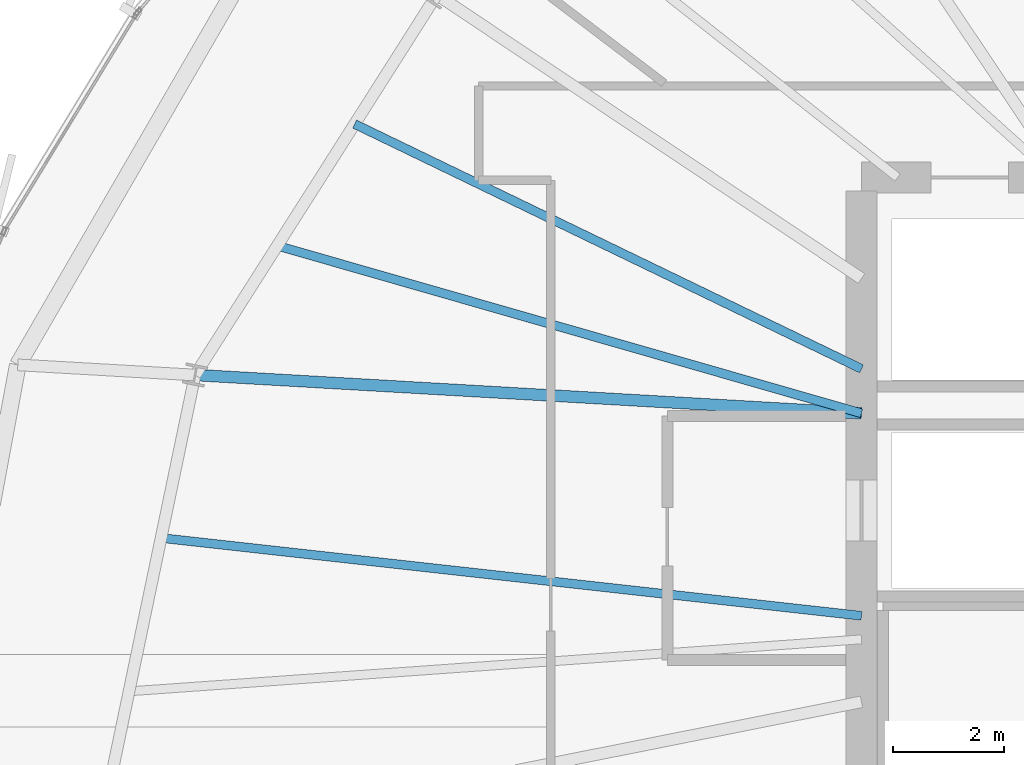
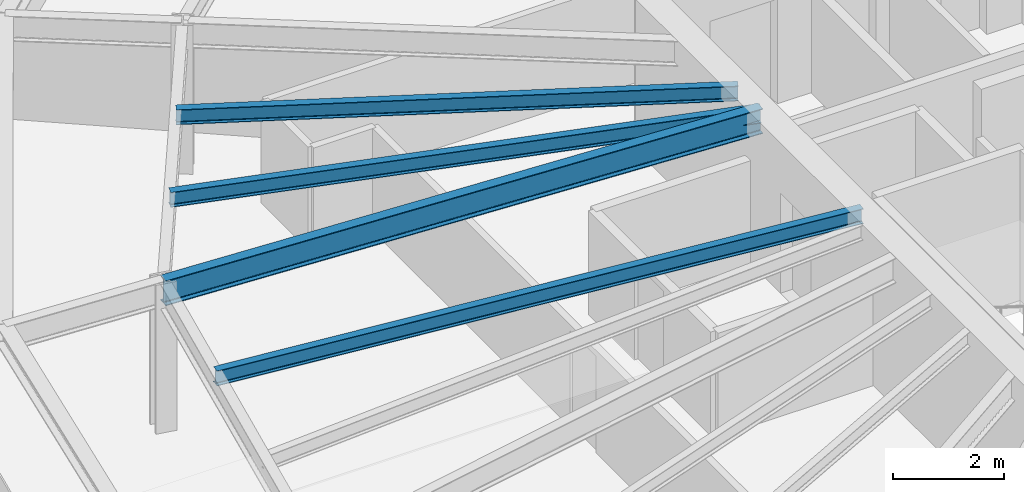
# One storey, part 11 of 36: 4 beams.
"""IFC4 building model written with IfcOpenShell, lengths in metres."""

from ifc_helpers import new_model, si_unit, direction, frame, origin, origin_2d, place, context, subcontext, project, spatial, i_section, extrude, source, transform, mapped, material, material_profile, profile_set, type_object, element, save


model = new_model("IFC4")

# Units and contexts
model_context = context("Model", 3, precision=1e-05, world=origin(), true_north=direction((0.0, 1.0)))
body_context = subcontext(model_context, "Body", "Model", "MODEL_VIEW")
ifc_project = project(units=[si_unit("LENGTHUNIT", "METRE"), si_unit("AREAUNIT", "SQUARE_METRE"), si_unit("VOLUMEUNIT", "CUBIC_METRE"), si_unit("PLANEANGLEUNIT", "RADIAN"), si_unit("MASSUNIT", "GRAM", prefix="KILO"), si_unit("THERMODYNAMICTEMPERATUREUNIT", "KELVIN")], contexts=[model_context])

# Site, building, storey
site_placement = place(None, origin())
site = spatial("IfcSite", under=ifc_project, at=site_placement, CompositionType="ELEMENT")
building_placement = place(site_placement, origin())
building = spatial("IfcBuilding", under=site, at=building_placement, Name="Kethvar Cultural Tower", CompositionType="ELEMENT")
storey_placement = place(building_placement, frame((0.0, 0.0, 150.10009765625)))
storey = spatial("IfcBuildingStorey", under=building, at=storey_placement, Name="L38", CompositionType="ELEMENT", Elevation=150.10009765625)

# Beams
ifc_material = material(Name="Steel S355J2", Category="steel")
ifc_material_profile_1 = material_profile(ifc_material, i_section(OverallWidth=0.2099609375, OverallDepth=0.550048828125, WebThickness=0.010986328125, FlangeThickness=0.01708984375, FilletRadius=0.02392578125, at=origin_2d()), Name="Steel S355J2 — IPE550")
ifc_profile_set_1 = profile_set([ifc_material_profile_1], Name="Steel S355J2 — IPE550")
beam_type_1 = type_object("IfcBeamType", Name="BM-IPE550", PredefinedType="BEAM", material=ifc_profile_set_1)
shared_shape_1 = source(origin(), body_context, "Body", "SweptSolid", [
    extrude(i_section(OverallWidth=0.2099609375, OverallDepth=0.550048828125, WebThickness=0.010986328125, FlangeThickness=0.01708984375, FilletRadius=0.02392578125, at=origin_2d()), origin(), (0.0, 0.0, 1.0), 12.03125),
])
beam_1_placement = place(storey_placement, frame((38.0, 31.25, 3.02294921875), z_axis=(-0.998355544741, 0.057325441856, 0.0), x_axis=(-0.057325441856, -0.998355544741, 0.0)))
element("IfcBeam", 1, at=beam_1_placement, inside=storey, type_object=beam_type_1, Name="L38 Primary Radial Beam RB-08", PredefinedType="BEAM", context=body_context, shape_type="MappedRepresentation", body=[
    mapped(shared_shape_1, transform((0.0, 0.0, 0.0), scale=1.0)),
])
ifc_material_profile_2 = material_profile(ifc_material, i_section(OverallWidth=0.159912109375, OverallDepth=0.330078125, WebThickness=0.007568359375, FlangeThickness=0.011474609375, FilletRadius=0.01806640625, at=origin_2d()), Name="Steel S355J2 — IPE330")
ifc_profile_set_2 = profile_set([ifc_material_profile_2], Name="Steel S355J2 — IPE330")
beam_type_2 = type_object("IfcBeamType", Name="BM-J330", PredefinedType="JOIST", material=ifc_profile_set_2)
shared_shape_2 = source(origin(), body_context, "Body", "SweptSolid", [
    extrude(i_section(OverallWidth=0.159912109375, OverallDepth=0.330078125, WebThickness=0.007568359375, FlangeThickness=0.011474609375, FilletRadius=0.01806640625, at=origin_2d()), origin(), (0.0, 0.0, 1.0), 10.1455078125),
])
beam_2_placement = place(storey_placement, frame((38.0, 32.05078125, 3.1328125), z_axis=(-0.90045122575, 0.434956997927, 0.0), x_axis=(-0.434956997927, -0.90045122575, 0.0)))
element("IfcBeam", 2, at=beam_2_placement, inside=storey, type_object=beam_type_2, Name="L38 Composite Floor Joist J-07A", PredefinedType="JOIST", context=body_context, shape_type="MappedRepresentation", body=[
    mapped(shared_shape_2, transform((0.0, 0.0, 0.0), scale=1.0)),
])
shared_shape_3 = source(origin(), body_context, "Body", "SweptSolid", [
    extrude(i_section(OverallWidth=0.159912109375, OverallDepth=0.330078125, WebThickness=0.007568359375, FlangeThickness=0.011474609375, FilletRadius=0.01806640625, at=origin_2d()), origin(), (0.0, 0.0, 1.0), 10.95458984375),
])
beam_3_placement = place(storey_placement, frame((38.0, 31.25, 3.1328125), z_axis=(-0.96124170623, 0.275707058676, 0.0), x_axis=(-0.275707058676, -0.96124170623, 0.0)))
element("IfcBeam", 3, at=beam_3_placement, inside=storey, type_object=beam_type_2, Name="L38 Composite Floor Joist J-07B", PredefinedType="JOIST", context=body_context, shape_type="MappedRepresentation", body=[
    mapped(shared_shape_3, transform((0.0, 0.0, 0.0), scale=1.0)),
])
shared_shape_4 = source(origin(), body_context, "Body", "SweptSolid", [
    extrude(i_section(OverallWidth=0.159912109375, OverallDepth=0.330078125, WebThickness=0.007568359375, FlangeThickness=0.011474609375, FilletRadius=0.01806640625, at=origin_2d()), origin(), (0.0, 0.0, 1.0), 12.7021484375),
])
beam_4_placement = place(storey_placement, frame((38.0, 27.60009765625, 3.1328125), z_axis=(-0.993884906591, 0.110420978309, 0.0), x_axis=(-0.110420978309, -0.993884906591, 0.0)))
element("IfcBeam", 4, at=beam_4_placement, inside=storey, type_object=beam_type_2, Name="L38 Composite Floor Joist J-08A", PredefinedType="JOIST", context=body_context, shape_type="MappedRepresentation", body=[
    mapped(shared_shape_4, transform((0.0, 0.0, 0.0), scale=1.0)),
])

save(model, "model.ifc")
